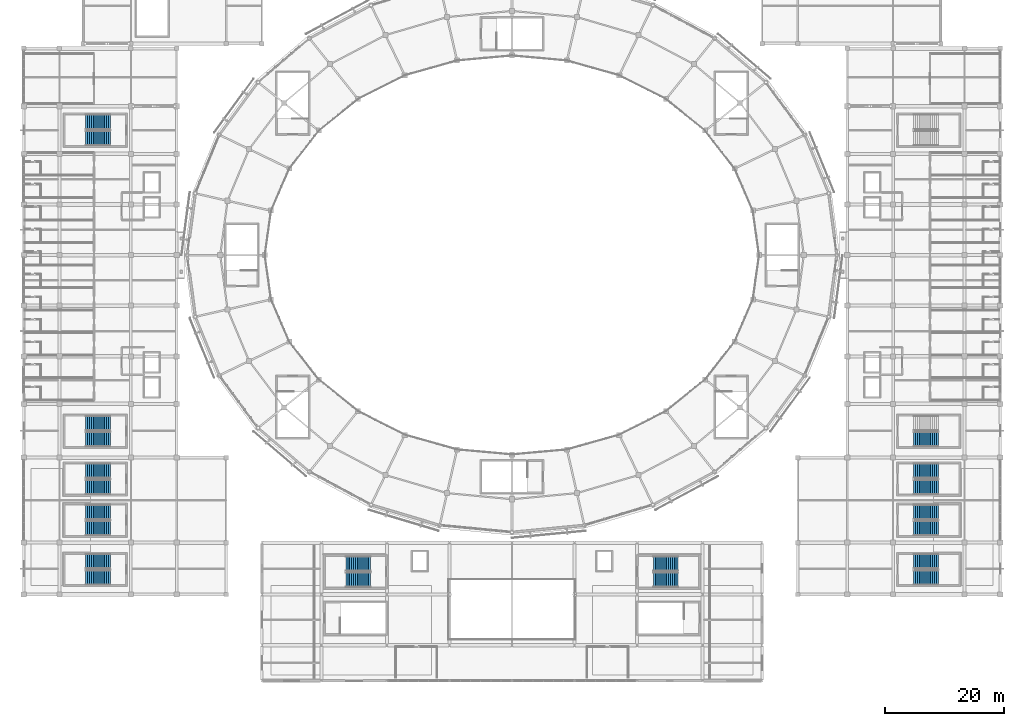
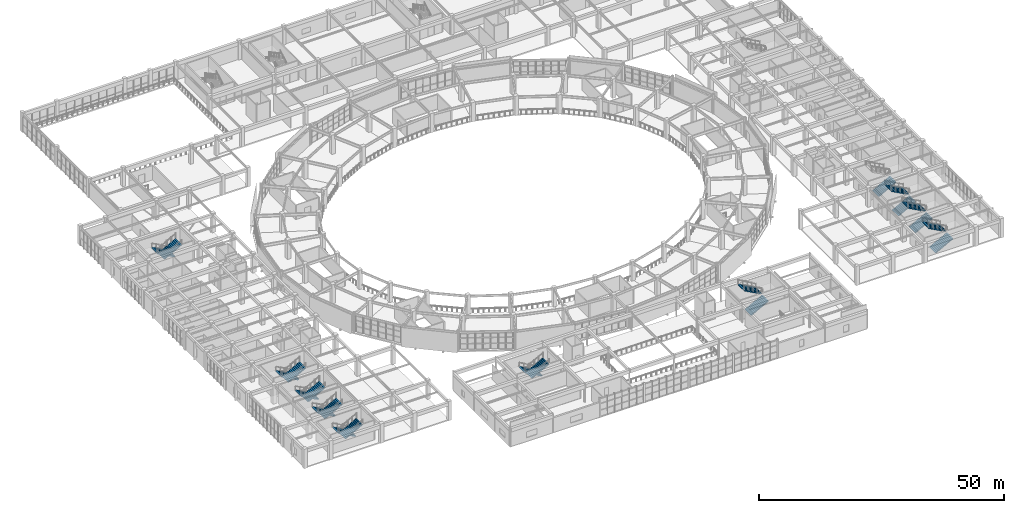
# One storey, part 93 of 112: 21 stair flights, 11 elements without a shape of their own.
"""IFC4 building model written with IfcOpenShell, lengths in metres."""

from ifc_helpers import new_model, si_unit, direction, frame, origin, place, context, subcontext, project, spatial, polyline, outline, extrude, material, type_object, element, aggregate, save


model = new_model("IFC4")

# Units and contexts
model_context = context("Model", 3, precision=1e-05, world=origin(), true_north=direction((0.0, 1.0)))
body_context = subcontext(model_context, "Body", "Model", "MODEL_VIEW")
ifc_project = project(units=[si_unit("LENGTHUNIT", "METRE"), si_unit("AREAUNIT", "SQUARE_METRE"), si_unit("VOLUMEUNIT", "CUBIC_METRE"), si_unit("PLANEANGLEUNIT", "RADIAN"), si_unit("MASSUNIT", "GRAM", prefix="KILO")], contexts=[model_context])

# Site, building, storey
site_placement = place(None, origin())
site = spatial("IfcSite", under=ifc_project, at=site_placement, CompositionType="ELEMENT")
building_placement = place(site_placement, origin())
building = spatial("IfcBuilding", under=site, at=building_placement, Name="Cuetzalor Civic Arena", CompositionType="ELEMENT")
storey_placement = place(building_placement, frame((0.0, 0.0, 11.39990234375)))
storey = spatial("IfcBuildingStorey", under=building, at=storey_placement, Name="L02", CompositionType="ELEMENT", Elevation=11.39990234375)

# Stair, stair flights
ifc_material_1 = material(Name="Precast concrete C40/50", Category="concrete")
stair_type = type_object("IfcStairType", Name="EnclosedExitStair_H480", PredefinedType="HALF_TURN_STAIR", material=ifc_material_1)
stair_1_placement = place(storey_placement, origin())
stair_1 = element("IfcStair", 1, at=stair_1_placement, inside=storey, type_object=stair_type, Name="L02 Enclosed Exit Stair ST-10", PredefinedType="HALF_TURN_STAIR")
ifc_material_2 = material(Name="Precast concrete C40/50", Category="concrete")
stair_flight_type = type_object("IfcStairFlightType", Name="ExitStairFlight_H480", PredefinedType="STRAIGHT", material=ifc_material_2)
stair_flight_1_placement = place(storey_placement, frame((-23.75, -51.85009765625, 0.0), z_axis=(0.0, 0.0, 1.0), x_axis=(-1.0, 0.0, 0.0)))
stair_flight_1 = element("IfcStairFlight", 2, at=stair_flight_1_placement, type_object=stair_flight_type, Name="ST-10 flight 1", NumberOfRisers=14, NumberOfTreads=13, PredefinedType="STRAIGHT", RiserHeight=0.171428571, TreadLength=0.318, context=body_context, shape_type="SweptSolid", body=[
    extrude(outline(polyline([(0.0, 0.0), (0.0, 0.17138671875), (0.318115234375, 0.17138671875), (0.318115234375, 0.3427734375), (0.635986328125, 0.3427734375), (0.635986328125, 0.514404296875), (0.9541015625, 0.514404296875), (0.9541015625, 0.685791015625), (1.27197265625, 0.685791015625), (1.27197265625, 0.857177734375), (1.590087890625, 0.857177734375), (1.590087890625, 1.028564453125), (1.907958984375, 1.028564453125), (1.907958984375, 1.199951171875), (2.22607421875, 1.199951171875), (2.22607421875, 1.371337890625), (2.5439453125, 1.371337890625), (2.5439453125, 1.54296875), (2.862060546875, 1.54296875), (2.862060546875, 1.71435546875), (3.179931640625, 1.71435546875), (3.179931640625, 1.8857421875), (3.498046875, 1.8857421875), (3.498046875, 2.05712890625), (3.81591796875, 2.05712890625), (3.81591796875, 2.228515625), (4.134033203125, 2.228515625), (4.134033203125, 2.39990234375), (4.134033203125, 2.024169921875), (0.379150390625, 0.0), (0.0, 0.0)])), frame((0.0, 1.25, 0.0), z_axis=(0.0, -1.0, 0.0), x_axis=(1.0, 0.0, 0.0)), (0.0, 0.0, 1.0), 2.5),
])
stair_flight_2_placement = place(storey_placement, frame((-27.884033203125, -54.550048828125, 2.400146484375), z_axis=(0.0, 0.0, 1.0), x_axis=(1.0, 0.0, 0.0)))
stair_flight_2 = element("IfcStairFlight", 3, at=stair_flight_2_placement, type_object=stair_flight_type, Name="ST-10 flight 2", NumberOfRisers=14, NumberOfTreads=13, PredefinedType="STRAIGHT", RiserHeight=0.171428571, TreadLength=0.318, context=body_context, shape_type="SweptSolid", body=[
    extrude(outline(polyline([(0.0, 0.0), (0.0, 0.17138671875), (0.318115234375, 0.17138671875), (0.318115234375, 0.3427734375), (0.635986328125, 0.3427734375), (0.635986328125, 0.514404296875), (0.9541015625, 0.514404296875), (0.9541015625, 0.685791015625), (1.27197265625, 0.685791015625), (1.27197265625, 0.857177734375), (1.590087890625, 0.857177734375), (1.590087890625, 1.028564453125), (1.907958984375, 1.028564453125), (1.907958984375, 1.199951171875), (2.22607421875, 1.199951171875), (2.22607421875, 1.371337890625), (2.5439453125, 1.371337890625), (2.5439453125, 1.54296875), (2.862060546875, 1.54296875), (2.862060546875, 1.71435546875), (3.179931640625, 1.71435546875), (3.179931640625, 1.8857421875), (3.498046875, 1.8857421875), (3.498046875, 2.05712890625), (3.81591796875, 2.05712890625), (3.81591796875, 2.228515625), (4.134033203125, 2.228515625), (4.134033203125, 2.39990234375), (4.134033203125, 2.024169921875), (0.379150390625, 0.0), (0.0, 0.0)])), frame((0.0, 1.25, 0.0), z_axis=(0.0, -1.0, 0.0), x_axis=(1.0, 0.0, 0.0)), (0.0, 0.0, 1.0), 2.5),
])
aggregate(stair_1, [stair_flight_1, stair_flight_2])

stair_2_placement = place(storey_placement, origin())
stair_2 = element("IfcStair", 4, at=stair_2_placement, inside=storey, type_object=stair_type, Name="L02 Enclosed Exit Stair ST-11", PredefinedType="HALF_TURN_STAIR")
stair_flight_3_placement = place(storey_placement, frame((23.75, -54.550048828125, 0.0), z_axis=(0.0, 0.0, 1.0), x_axis=(1.0, 0.0, 0.0)))
stair_flight_3 = element("IfcStairFlight", 5, at=stair_flight_3_placement, type_object=stair_flight_type, Name="ST-11 flight 1", NumberOfRisers=14, NumberOfTreads=13, PredefinedType="STRAIGHT", RiserHeight=0.171428571, TreadLength=0.318, context=body_context, shape_type="SweptSolid", body=[
    extrude(outline(polyline([(0.0, 0.0), (0.0, 0.17138671875), (0.318115234375, 0.17138671875), (0.318115234375, 0.3427734375), (0.635986328125, 0.3427734375), (0.635986328125, 0.514404296875), (0.9541015625, 0.514404296875), (0.9541015625, 0.685791015625), (1.27197265625, 0.685791015625), (1.27197265625, 0.857177734375), (1.590087890625, 0.857177734375), (1.590087890625, 1.028564453125), (1.907958984375, 1.028564453125), (1.907958984375, 1.199951171875), (2.22607421875, 1.199951171875), (2.22607421875, 1.371337890625), (2.5439453125, 1.371337890625), (2.5439453125, 1.54296875), (2.862060546875, 1.54296875), (2.862060546875, 1.71435546875), (3.179931640625, 1.71435546875), (3.179931640625, 1.8857421875), (3.498046875, 1.8857421875), (3.498046875, 2.05712890625), (3.81591796875, 2.05712890625), (3.81591796875, 2.228515625), (4.134033203125, 2.228515625), (4.134033203125, 2.39990234375), (4.134033203125, 2.024169921875), (0.379150390625, 0.0), (0.0, 0.0)])), frame((0.0, 1.25, 0.0), z_axis=(0.0, -1.0, 0.0), x_axis=(1.0, 0.0, 0.0)), (0.0, 0.0, 1.0), 2.5),
])
stair_flight_4_placement = place(storey_placement, frame((27.884033203125, -51.85009765625, 2.400146484375), z_axis=(0.0, 0.0, 1.0), x_axis=(-1.0, 0.0, 0.0)))
stair_flight_4 = element("IfcStairFlight", 6, at=stair_flight_4_placement, type_object=stair_flight_type, Name="ST-11 flight 2", NumberOfRisers=14, NumberOfTreads=13, PredefinedType="STRAIGHT", RiserHeight=0.171428571, TreadLength=0.318, context=body_context, shape_type="SweptSolid", body=[
    extrude(outline(polyline([(0.0, 0.0), (0.0, 0.17138671875), (0.318115234375, 0.17138671875), (0.318115234375, 0.3427734375), (0.635986328125, 0.3427734375), (0.635986328125, 0.514404296875), (0.9541015625, 0.514404296875), (0.9541015625, 0.685791015625), (1.27197265625, 0.685791015625), (1.27197265625, 0.857177734375), (1.590087890625, 0.857177734375), (1.590087890625, 1.028564453125), (1.907958984375, 1.028564453125), (1.907958984375, 1.199951171875), (2.22607421875, 1.199951171875), (2.22607421875, 1.371337890625), (2.5439453125, 1.371337890625), (2.5439453125, 1.54296875), (2.862060546875, 1.54296875), (2.862060546875, 1.71435546875), (3.179931640625, 1.71435546875), (3.179931640625, 1.8857421875), (3.498046875, 1.8857421875), (3.498046875, 2.05712890625), (3.81591796875, 2.05712890625), (3.81591796875, 2.228515625), (4.134033203125, 2.228515625), (4.134033203125, 2.39990234375), (4.134033203125, 2.024169921875), (0.379150390625, 0.0), (0.0, 0.0)])), frame((0.0, 1.25, 0.0), z_axis=(0.0, -1.0, 0.0), x_axis=(1.0, 0.0, 0.0)), (0.0, 0.0, 1.0), 2.5),
])
aggregate(stair_2, [stair_flight_3, stair_flight_4])

stair_3_placement = place(storey_placement, origin())
stair_3 = element("IfcStair", 7, at=stair_3_placement, inside=storey, type_object=stair_type, Name="L02 Enclosed Exit Stair ST-13", PredefinedType="HALF_TURN_STAIR")
stair_flight_5_placement = place(storey_placement, frame((-67.449951171875, -51.449951171875, 0.0), z_axis=(0.0, 0.0, 1.0), x_axis=(-1.0, 0.0, 0.0)))
stair_flight_5 = element("IfcStairFlight", 8, at=stair_flight_5_placement, type_object=stair_flight_type, Name="ST-13 flight 1", NumberOfRisers=14, NumberOfTreads=13, PredefinedType="STRAIGHT", RiserHeight=0.171428571, TreadLength=0.318, context=body_context, shape_type="SweptSolid", body=[
    extrude(outline(polyline([(0.0, 0.0), (0.0, 0.17138671875), (0.318115234375, 0.17138671875), (0.318115234375, 0.3427734375), (0.635986328125, 0.3427734375), (0.635986328125, 0.514404296875), (0.9541015625, 0.514404296875), (0.9541015625, 0.685791015625), (1.27197265625, 0.685791015625), (1.27197265625, 0.857177734375), (1.590087890625, 0.857177734375), (1.590087890625, 1.028564453125), (1.907958984375, 1.028564453125), (1.907958984375, 1.199951171875), (2.22607421875, 1.199951171875), (2.22607421875, 1.371337890625), (2.5439453125, 1.371337890625), (2.5439453125, 1.54296875), (2.862060546875, 1.54296875), (2.862060546875, 1.71435546875), (3.179931640625, 1.71435546875), (3.179931640625, 1.8857421875), (3.498046875, 1.8857421875), (3.498046875, 2.05712890625), (3.81591796875, 2.05712890625), (3.81591796875, 2.228515625), (4.134033203125, 2.228515625), (4.134033203125, 2.39990234375), (4.134033203125, 2.024169921875), (0.379150390625, 0.0), (0.0, 0.0)])), frame((0.0, 1.25, 0.0), z_axis=(0.0, -1.0, 0.0), x_axis=(1.0, 0.0, 0.0)), (0.0, 0.0, 1.0), 2.5),
])
stair_flight_6_placement = place(storey_placement, frame((-71.583984375, -54.14990234375, 2.400146484375), z_axis=(0.0, 0.0, 1.0), x_axis=(1.0, 0.0, 0.0)))
stair_flight_6 = element("IfcStairFlight", 9, at=stair_flight_6_placement, type_object=stair_flight_type, Name="ST-13 flight 2", NumberOfRisers=14, NumberOfTreads=13, PredefinedType="STRAIGHT", RiserHeight=0.171428571, TreadLength=0.318, context=body_context, shape_type="SweptSolid", body=[
    extrude(outline(polyline([(0.0, 0.0), (0.0, 0.17138671875), (0.318115234375, 0.17138671875), (0.318115234375, 0.3427734375), (0.635986328125, 0.3427734375), (0.635986328125, 0.514404296875), (0.9541015625, 0.514404296875), (0.9541015625, 0.685791015625), (1.27197265625, 0.685791015625), (1.27197265625, 0.857177734375), (1.590087890625, 0.857177734375), (1.590087890625, 1.028564453125), (1.907958984375, 1.028564453125), (1.907958984375, 1.199951171875), (2.22607421875, 1.199951171875), (2.22607421875, 1.371337890625), (2.5439453125, 1.371337890625), (2.5439453125, 1.54296875), (2.862060546875, 1.54296875), (2.862060546875, 1.71435546875), (3.179931640625, 1.71435546875), (3.179931640625, 1.8857421875), (3.498046875, 1.8857421875), (3.498046875, 2.05712890625), (3.81591796875, 2.05712890625), (3.81591796875, 2.228515625), (4.134033203125, 2.228515625), (4.134033203125, 2.39990234375), (4.134033203125, 2.024169921875), (0.379150390625, 0.0), (0.0, 0.0)])), frame((0.0, 1.25, 0.0), z_axis=(0.0, -1.0, 0.0), x_axis=(1.0, 0.0, 0.0)), (0.0, 0.0, 1.0), 2.5),
])
aggregate(stair_3, [stair_flight_5, stair_flight_6])

stair_4_placement = place(storey_placement, origin())
stair_4 = element("IfcStair", 10, at=stair_4_placement, inside=storey, type_object=stair_type, Name="L02 Enclosed Exit Stair ST-14", PredefinedType="HALF_TURN_STAIR")
stair_flight_7_placement = place(storey_placement, frame((-67.449951171875, -43.14990234375, 0.0), z_axis=(0.0, 0.0, 1.0), x_axis=(-1.0, 0.0, 0.0)))
stair_flight_7 = element("IfcStairFlight", 11, at=stair_flight_7_placement, type_object=stair_flight_type, Name="ST-14 flight 1", NumberOfRisers=14, NumberOfTreads=13, PredefinedType="STRAIGHT", RiserHeight=0.171428571, TreadLength=0.318, context=body_context, shape_type="SweptSolid", body=[
    extrude(outline(polyline([(0.0, 0.0), (0.0, 0.17138671875), (0.318115234375, 0.17138671875), (0.318115234375, 0.3427734375), (0.635986328125, 0.3427734375), (0.635986328125, 0.514404296875), (0.9541015625, 0.514404296875), (0.9541015625, 0.685791015625), (1.27197265625, 0.685791015625), (1.27197265625, 0.857177734375), (1.590087890625, 0.857177734375), (1.590087890625, 1.028564453125), (1.907958984375, 1.028564453125), (1.907958984375, 1.199951171875), (2.22607421875, 1.199951171875), (2.22607421875, 1.371337890625), (2.5439453125, 1.371337890625), (2.5439453125, 1.54296875), (2.862060546875, 1.54296875), (2.862060546875, 1.71435546875), (3.179931640625, 1.71435546875), (3.179931640625, 1.8857421875), (3.498046875, 1.8857421875), (3.498046875, 2.05712890625), (3.81591796875, 2.05712890625), (3.81591796875, 2.228515625), (4.134033203125, 2.228515625), (4.134033203125, 2.39990234375), (4.134033203125, 2.024169921875), (0.379150390625, 0.0), (0.0, 0.0)])), frame((0.0, 1.25, 0.0), z_axis=(0.0, -1.0, 0.0), x_axis=(1.0, 0.0, 0.0)), (0.0, 0.0, 1.0), 2.5),
])
stair_flight_8_placement = place(storey_placement, frame((-71.583984375, -45.85009765625, 2.400146484375), z_axis=(0.0, 0.0, 1.0), x_axis=(1.0, 0.0, 0.0)))
stair_flight_8 = element("IfcStairFlight", 12, at=stair_flight_8_placement, type_object=stair_flight_type, Name="ST-14 flight 2", NumberOfRisers=14, NumberOfTreads=13, PredefinedType="STRAIGHT", RiserHeight=0.171428571, TreadLength=0.318, context=body_context, shape_type="SweptSolid", body=[
    extrude(outline(polyline([(0.0, 0.0), (0.0, 0.17138671875), (0.318115234375, 0.17138671875), (0.318115234375, 0.3427734375), (0.635986328125, 0.3427734375), (0.635986328125, 0.514404296875), (0.9541015625, 0.514404296875), (0.9541015625, 0.685791015625), (1.27197265625, 0.685791015625), (1.27197265625, 0.857177734375), (1.590087890625, 0.857177734375), (1.590087890625, 1.028564453125), (1.907958984375, 1.028564453125), (1.907958984375, 1.199951171875), (2.22607421875, 1.199951171875), (2.22607421875, 1.371337890625), (2.5439453125, 1.371337890625), (2.5439453125, 1.54296875), (2.862060546875, 1.54296875), (2.862060546875, 1.71435546875), (3.179931640625, 1.71435546875), (3.179931640625, 1.8857421875), (3.498046875, 1.8857421875), (3.498046875, 2.05712890625), (3.81591796875, 2.05712890625), (3.81591796875, 2.228515625), (4.134033203125, 2.228515625), (4.134033203125, 2.39990234375), (4.134033203125, 2.024169921875), (0.379150390625, 0.0), (0.0, 0.0)])), frame((0.0, 1.25, 0.0), z_axis=(0.0, -1.0, 0.0), x_axis=(1.0, 0.0, 0.0)), (0.0, 0.0, 1.0), 2.5),
])
aggregate(stair_4, [stair_flight_7, stair_flight_8])

stair_5_placement = place(storey_placement, origin())
stair_5 = element("IfcStair", 13, at=stair_5_placement, inside=storey, type_object=stair_type, Name="L02 Enclosed Exit Stair ST-15", PredefinedType="HALF_TURN_STAIR")
stair_flight_9_placement = place(storey_placement, frame((-67.449951171875, -36.25, 0.0), z_axis=(0.0, 0.0, 1.0), x_axis=(-1.0, 0.0, 0.0)))
stair_flight_9 = element("IfcStairFlight", 14, at=stair_flight_9_placement, type_object=stair_flight_type, Name="ST-15 flight 1", NumberOfRisers=14, NumberOfTreads=13, PredefinedType="STRAIGHT", RiserHeight=0.171428571, TreadLength=0.318, context=body_context, shape_type="SweptSolid", body=[
    extrude(outline(polyline([(0.0, 0.0), (0.0, 0.17138671875), (0.318115234375, 0.17138671875), (0.318115234375, 0.3427734375), (0.635986328125, 0.3427734375), (0.635986328125, 0.514404296875), (0.9541015625, 0.514404296875), (0.9541015625, 0.685791015625), (1.27197265625, 0.685791015625), (1.27197265625, 0.857177734375), (1.590087890625, 0.857177734375), (1.590087890625, 1.028564453125), (1.907958984375, 1.028564453125), (1.907958984375, 1.199951171875), (2.22607421875, 1.199951171875), (2.22607421875, 1.371337890625), (2.5439453125, 1.371337890625), (2.5439453125, 1.54296875), (2.862060546875, 1.54296875), (2.862060546875, 1.71435546875), (3.179931640625, 1.71435546875), (3.179931640625, 1.8857421875), (3.498046875, 1.8857421875), (3.498046875, 2.05712890625), (3.81591796875, 2.05712890625), (3.81591796875, 2.228515625), (4.134033203125, 2.228515625), (4.134033203125, 2.39990234375), (4.134033203125, 2.024169921875), (0.379150390625, 0.0), (0.0, 0.0)])), frame((0.0, 1.25, 0.0), z_axis=(0.0, -1.0, 0.0), x_axis=(1.0, 0.0, 0.0)), (0.0, 0.0, 1.0), 2.5),
])
stair_flight_10_placement = place(storey_placement, frame((-71.583984375, -38.949951171875, 2.400146484375), z_axis=(0.0, 0.0, 1.0), x_axis=(1.0, 0.0, 0.0)))
stair_flight_10 = element("IfcStairFlight", 15, at=stair_flight_10_placement, type_object=stair_flight_type, Name="ST-15 flight 2", NumberOfRisers=14, NumberOfTreads=13, PredefinedType="STRAIGHT", RiserHeight=0.171428571, TreadLength=0.318, context=body_context, shape_type="SweptSolid", body=[
    extrude(outline(polyline([(0.0, 0.0), (0.0, 0.17138671875), (0.318115234375, 0.17138671875), (0.318115234375, 0.3427734375), (0.635986328125, 0.3427734375), (0.635986328125, 0.514404296875), (0.9541015625, 0.514404296875), (0.9541015625, 0.685791015625), (1.27197265625, 0.685791015625), (1.27197265625, 0.857177734375), (1.590087890625, 0.857177734375), (1.590087890625, 1.028564453125), (1.907958984375, 1.028564453125), (1.907958984375, 1.199951171875), (2.22607421875, 1.199951171875), (2.22607421875, 1.371337890625), (2.5439453125, 1.371337890625), (2.5439453125, 1.54296875), (2.862060546875, 1.54296875), (2.862060546875, 1.71435546875), (3.179931640625, 1.71435546875), (3.179931640625, 1.8857421875), (3.498046875, 1.8857421875), (3.498046875, 2.05712890625), (3.81591796875, 2.05712890625), (3.81591796875, 2.228515625), (4.134033203125, 2.228515625), (4.134033203125, 2.39990234375), (4.134033203125, 2.024169921875), (0.379150390625, 0.0), (0.0, 0.0)])), frame((0.0, 1.25, 0.0), z_axis=(0.0, -1.0, 0.0), x_axis=(1.0, 0.0, 0.0)), (0.0, 0.0, 1.0), 2.5),
])
aggregate(stair_5, [stair_flight_9, stair_flight_10])

stair_6_placement = place(storey_placement, origin())
stair_6 = element("IfcStair", 16, at=stair_6_placement, inside=storey, type_object=stair_type, Name="L02 Enclosed Exit Stair ST-16", PredefinedType="HALF_TURN_STAIR")
stair_flight_11_placement = place(storey_placement, frame((-67.449951171875, -28.25, 0.0), z_axis=(0.0, 0.0, 1.0), x_axis=(-1.0, 0.0, 0.0)))
stair_flight_11 = element("IfcStairFlight", 17, at=stair_flight_11_placement, type_object=stair_flight_type, Name="ST-16 flight 1", NumberOfRisers=14, NumberOfTreads=13, PredefinedType="STRAIGHT", RiserHeight=0.171428571, TreadLength=0.318, context=body_context, shape_type="SweptSolid", body=[
    extrude(outline(polyline([(0.0, 0.0), (0.0, 0.17138671875), (0.318115234375, 0.17138671875), (0.318115234375, 0.3427734375), (0.635986328125, 0.3427734375), (0.635986328125, 0.514404296875), (0.9541015625, 0.514404296875), (0.9541015625, 0.685791015625), (1.27197265625, 0.685791015625), (1.27197265625, 0.857177734375), (1.590087890625, 0.857177734375), (1.590087890625, 1.028564453125), (1.907958984375, 1.028564453125), (1.907958984375, 1.199951171875), (2.22607421875, 1.199951171875), (2.22607421875, 1.371337890625), (2.5439453125, 1.371337890625), (2.5439453125, 1.54296875), (2.862060546875, 1.54296875), (2.862060546875, 1.71435546875), (3.179931640625, 1.71435546875), (3.179931640625, 1.8857421875), (3.498046875, 1.8857421875), (3.498046875, 2.05712890625), (3.81591796875, 2.05712890625), (3.81591796875, 2.228515625), (4.134033203125, 2.228515625), (4.134033203125, 2.39990234375), (4.134033203125, 2.024169921875), (0.379150390625, 0.0), (0.0, 0.0)])), frame((0.0, 1.25, 0.0), z_axis=(0.0, -1.0, 0.0), x_axis=(1.0, 0.0, 0.0)), (0.0, 0.0, 1.0), 2.5),
])
stair_flight_12_placement = place(storey_placement, frame((-71.583984375, -30.949951171875, 2.400146484375), z_axis=(0.0, 0.0, 1.0), x_axis=(1.0, 0.0, 0.0)))
stair_flight_12 = element("IfcStairFlight", 18, at=stair_flight_12_placement, type_object=stair_flight_type, Name="ST-16 flight 2", NumberOfRisers=14, NumberOfTreads=13, PredefinedType="STRAIGHT", RiserHeight=0.171428571, TreadLength=0.318, context=body_context, shape_type="SweptSolid", body=[
    extrude(outline(polyline([(0.0, 0.0), (0.0, 0.17138671875), (0.318115234375, 0.17138671875), (0.318115234375, 0.3427734375), (0.635986328125, 0.3427734375), (0.635986328125, 0.514404296875), (0.9541015625, 0.514404296875), (0.9541015625, 0.685791015625), (1.27197265625, 0.685791015625), (1.27197265625, 0.857177734375), (1.590087890625, 0.857177734375), (1.590087890625, 1.028564453125), (1.907958984375, 1.028564453125), (1.907958984375, 1.199951171875), (2.22607421875, 1.199951171875), (2.22607421875, 1.371337890625), (2.5439453125, 1.371337890625), (2.5439453125, 1.54296875), (2.862060546875, 1.54296875), (2.862060546875, 1.71435546875), (3.179931640625, 1.71435546875), (3.179931640625, 1.8857421875), (3.498046875, 1.8857421875), (3.498046875, 2.05712890625), (3.81591796875, 2.05712890625), (3.81591796875, 2.228515625), (4.134033203125, 2.228515625), (4.134033203125, 2.39990234375), (4.134033203125, 2.024169921875), (0.379150390625, 0.0), (0.0, 0.0)])), frame((0.0, 1.25, 0.0), z_axis=(0.0, -1.0, 0.0), x_axis=(1.0, 0.0, 0.0)), (0.0, 0.0, 1.0), 2.5),
])
aggregate(stair_6, [stair_flight_11, stair_flight_12])

stair_7_placement = place(storey_placement, origin())
stair_7 = element("IfcStair", 19, at=stair_7_placement, inside=storey, type_object=stair_type, Name="L02 Enclosed Exit Stair ST-17", PredefinedType="HALF_TURN_STAIR")
stair_flight_13_placement = place(storey_placement, frame((-67.449951171875, 22.35009765625, 0.0), z_axis=(0.0, 0.0, 1.0), x_axis=(-1.0, 0.0, 0.0)))
stair_flight_13 = element("IfcStairFlight", 20, at=stair_flight_13_placement, type_object=stair_flight_type, Name="ST-17 flight 1", NumberOfRisers=14, NumberOfTreads=13, PredefinedType="STRAIGHT", RiserHeight=0.171428571, TreadLength=0.318, context=body_context, shape_type="SweptSolid", body=[
    extrude(outline(polyline([(0.0, 0.0), (0.0, 0.17138671875), (0.318115234375, 0.17138671875), (0.318115234375, 0.3427734375), (0.635986328125, 0.3427734375), (0.635986328125, 0.514404296875), (0.9541015625, 0.514404296875), (0.9541015625, 0.685791015625), (1.27197265625, 0.685791015625), (1.27197265625, 0.857177734375), (1.590087890625, 0.857177734375), (1.590087890625, 1.028564453125), (1.907958984375, 1.028564453125), (1.907958984375, 1.199951171875), (2.22607421875, 1.199951171875), (2.22607421875, 1.371337890625), (2.5439453125, 1.371337890625), (2.5439453125, 1.54296875), (2.862060546875, 1.54296875), (2.862060546875, 1.71435546875), (3.179931640625, 1.71435546875), (3.179931640625, 1.8857421875), (3.498046875, 1.8857421875), (3.498046875, 2.05712890625), (3.81591796875, 2.05712890625), (3.81591796875, 2.228515625), (4.134033203125, 2.228515625), (4.134033203125, 2.39990234375), (4.134033203125, 2.024169921875), (0.379150390625, 0.0), (0.0, 0.0)])), frame((0.0, 1.25, 0.0), z_axis=(0.0, -1.0, 0.0), x_axis=(1.0, 0.0, 0.0)), (0.0, 0.0, 1.0), 2.5),
])
stair_flight_14_placement = place(storey_placement, frame((-71.583984375, 19.64990234375, 2.400146484375), z_axis=(0.0, 0.0, 1.0), x_axis=(1.0, 0.0, 0.0)))
stair_flight_14 = element("IfcStairFlight", 21, at=stair_flight_14_placement, type_object=stair_flight_type, Name="ST-17 flight 2", NumberOfRisers=14, NumberOfTreads=13, PredefinedType="STRAIGHT", RiserHeight=0.171428571, TreadLength=0.318, context=body_context, shape_type="SweptSolid", body=[
    extrude(outline(polyline([(0.0, 0.0), (0.0, 0.17138671875), (0.318115234375, 0.17138671875), (0.318115234375, 0.3427734375), (0.635986328125, 0.3427734375), (0.635986328125, 0.514404296875), (0.9541015625, 0.514404296875), (0.9541015625, 0.685791015625), (1.27197265625, 0.685791015625), (1.27197265625, 0.857177734375), (1.590087890625, 0.857177734375), (1.590087890625, 1.028564453125), (1.907958984375, 1.028564453125), (1.907958984375, 1.199951171875), (2.22607421875, 1.199951171875), (2.22607421875, 1.371337890625), (2.5439453125, 1.371337890625), (2.5439453125, 1.54296875), (2.862060546875, 1.54296875), (2.862060546875, 1.71435546875), (3.179931640625, 1.71435546875), (3.179931640625, 1.8857421875), (3.498046875, 1.8857421875), (3.498046875, 2.05712890625), (3.81591796875, 2.05712890625), (3.81591796875, 2.228515625), (4.134033203125, 2.228515625), (4.134033203125, 2.39990234375), (4.134033203125, 2.024169921875), (0.379150390625, 0.0), (0.0, 0.0)])), frame((0.0, 1.25, 0.0), z_axis=(0.0, -1.0, 0.0), x_axis=(1.0, 0.0, 0.0)), (0.0, 0.0, 1.0), 2.5),
])
aggregate(stair_7, [stair_flight_13, stair_flight_14])

stair_8_placement = place(storey_placement, origin())
stair_8 = element("IfcStair", 22, at=stair_8_placement, inside=storey, type_object=stair_type, Name="L02 Enclosed Exit Stair ST-18", PredefinedType="HALF_TURN_STAIR")
stair_flight_15_placement = place(storey_placement, frame((67.449951171875, -54.14990234375, 0.0), z_axis=(0.0, 0.0, 1.0), x_axis=(1.0, 0.0, 0.0)))
stair_flight_15 = element("IfcStairFlight", 23, at=stair_flight_15_placement, type_object=stair_flight_type, Name="ST-18 flight 1", NumberOfRisers=14, NumberOfTreads=13, PredefinedType="STRAIGHT", RiserHeight=0.171428571, TreadLength=0.318, context=body_context, shape_type="SweptSolid", body=[
    extrude(outline(polyline([(0.0, 0.0), (0.0, 0.17138671875), (0.318115234375, 0.17138671875), (0.318115234375, 0.3427734375), (0.635986328125, 0.3427734375), (0.635986328125, 0.514404296875), (0.9541015625, 0.514404296875), (0.9541015625, 0.685791015625), (1.27197265625, 0.685791015625), (1.27197265625, 0.857177734375), (1.590087890625, 0.857177734375), (1.590087890625, 1.028564453125), (1.907958984375, 1.028564453125), (1.907958984375, 1.199951171875), (2.22607421875, 1.199951171875), (2.22607421875, 1.371337890625), (2.5439453125, 1.371337890625), (2.5439453125, 1.54296875), (2.862060546875, 1.54296875), (2.862060546875, 1.71435546875), (3.179931640625, 1.71435546875), (3.179931640625, 1.8857421875), (3.498046875, 1.8857421875), (3.498046875, 2.05712890625), (3.81591796875, 2.05712890625), (3.81591796875, 2.228515625), (4.134033203125, 2.228515625), (4.134033203125, 2.39990234375), (4.134033203125, 2.024169921875), (0.379150390625, 0.0), (0.0, 0.0)])), frame((0.0, 1.25, 0.0), z_axis=(0.0, -1.0, 0.0), x_axis=(1.0, 0.0, 0.0)), (0.0, 0.0, 1.0), 2.5),
])
stair_flight_16_placement = place(storey_placement, frame((71.583984375, -51.449951171875, 2.400146484375), z_axis=(0.0, 0.0, 1.0), x_axis=(-1.0, 0.0, 0.0)))
stair_flight_16 = element("IfcStairFlight", 24, at=stair_flight_16_placement, type_object=stair_flight_type, Name="ST-18 flight 2", NumberOfRisers=14, NumberOfTreads=13, PredefinedType="STRAIGHT", RiserHeight=0.171428571, TreadLength=0.318, context=body_context, shape_type="SweptSolid", body=[
    extrude(outline(polyline([(0.0, 0.0), (0.0, 0.17138671875), (0.318115234375, 0.17138671875), (0.318115234375, 0.3427734375), (0.635986328125, 0.3427734375), (0.635986328125, 0.514404296875), (0.9541015625, 0.514404296875), (0.9541015625, 0.685791015625), (1.27197265625, 0.685791015625), (1.27197265625, 0.857177734375), (1.590087890625, 0.857177734375), (1.590087890625, 1.028564453125), (1.907958984375, 1.028564453125), (1.907958984375, 1.199951171875), (2.22607421875, 1.199951171875), (2.22607421875, 1.371337890625), (2.5439453125, 1.371337890625), (2.5439453125, 1.54296875), (2.862060546875, 1.54296875), (2.862060546875, 1.71435546875), (3.179931640625, 1.71435546875), (3.179931640625, 1.8857421875), (3.498046875, 1.8857421875), (3.498046875, 2.05712890625), (3.81591796875, 2.05712890625), (3.81591796875, 2.228515625), (4.134033203125, 2.228515625), (4.134033203125, 2.39990234375), (4.134033203125, 2.024169921875), (0.379150390625, 0.0), (0.0, 0.0)])), frame((0.0, 1.25, 0.0), z_axis=(0.0, -1.0, 0.0), x_axis=(1.0, 0.0, 0.0)), (0.0, 0.0, 1.0), 2.5),
])
aggregate(stair_8, [stair_flight_15, stair_flight_16])

stair_9_placement = place(storey_placement, origin())
stair_9 = element("IfcStair", 25, at=stair_9_placement, inside=storey, type_object=stair_type, Name="L02 Enclosed Exit Stair ST-19", PredefinedType="HALF_TURN_STAIR")
stair_flight_17_placement = place(storey_placement, frame((67.449951171875, -45.85009765625, 0.0), z_axis=(0.0, 0.0, 1.0), x_axis=(1.0, 0.0, 0.0)))
stair_flight_17 = element("IfcStairFlight", 26, at=stair_flight_17_placement, type_object=stair_flight_type, Name="ST-19 flight 1", NumberOfRisers=14, NumberOfTreads=13, PredefinedType="STRAIGHT", RiserHeight=0.171428571, TreadLength=0.318, context=body_context, shape_type="SweptSolid", body=[
    extrude(outline(polyline([(0.0, 0.0), (0.0, 0.17138671875), (0.318115234375, 0.17138671875), (0.318115234375, 0.3427734375), (0.635986328125, 0.3427734375), (0.635986328125, 0.514404296875), (0.9541015625, 0.514404296875), (0.9541015625, 0.685791015625), (1.27197265625, 0.685791015625), (1.27197265625, 0.857177734375), (1.590087890625, 0.857177734375), (1.590087890625, 1.028564453125), (1.907958984375, 1.028564453125), (1.907958984375, 1.199951171875), (2.22607421875, 1.199951171875), (2.22607421875, 1.371337890625), (2.5439453125, 1.371337890625), (2.5439453125, 1.54296875), (2.862060546875, 1.54296875), (2.862060546875, 1.71435546875), (3.179931640625, 1.71435546875), (3.179931640625, 1.8857421875), (3.498046875, 1.8857421875), (3.498046875, 2.05712890625), (3.81591796875, 2.05712890625), (3.81591796875, 2.228515625), (4.134033203125, 2.228515625), (4.134033203125, 2.39990234375), (4.134033203125, 2.024169921875), (0.379150390625, 0.0), (0.0, 0.0)])), frame((0.0, 1.25, 0.0), z_axis=(0.0, -1.0, 0.0), x_axis=(1.0, 0.0, 0.0)), (0.0, 0.0, 1.0), 2.5),
])
stair_flight_18_placement = place(storey_placement, frame((71.583984375, -43.14990234375, 2.400146484375), z_axis=(0.0, 0.0, 1.0), x_axis=(-1.0, 0.0, 0.0)))
stair_flight_18 = element("IfcStairFlight", 27, at=stair_flight_18_placement, type_object=stair_flight_type, Name="ST-19 flight 2", NumberOfRisers=14, NumberOfTreads=13, PredefinedType="STRAIGHT", RiserHeight=0.171428571, TreadLength=0.318, context=body_context, shape_type="SweptSolid", body=[
    extrude(outline(polyline([(0.0, 0.0), (0.0, 0.17138671875), (0.318115234375, 0.17138671875), (0.318115234375, 0.3427734375), (0.635986328125, 0.3427734375), (0.635986328125, 0.514404296875), (0.9541015625, 0.514404296875), (0.9541015625, 0.685791015625), (1.27197265625, 0.685791015625), (1.27197265625, 0.857177734375), (1.590087890625, 0.857177734375), (1.590087890625, 1.028564453125), (1.907958984375, 1.028564453125), (1.907958984375, 1.199951171875), (2.22607421875, 1.199951171875), (2.22607421875, 1.371337890625), (2.5439453125, 1.371337890625), (2.5439453125, 1.54296875), (2.862060546875, 1.54296875), (2.862060546875, 1.71435546875), (3.179931640625, 1.71435546875), (3.179931640625, 1.8857421875), (3.498046875, 1.8857421875), (3.498046875, 2.05712890625), (3.81591796875, 2.05712890625), (3.81591796875, 2.228515625), (4.134033203125, 2.228515625), (4.134033203125, 2.39990234375), (4.134033203125, 2.024169921875), (0.379150390625, 0.0), (0.0, 0.0)])), frame((0.0, 1.25, 0.0), z_axis=(0.0, -1.0, 0.0), x_axis=(1.0, 0.0, 0.0)), (0.0, 0.0, 1.0), 2.5),
])
aggregate(stair_9, [stair_flight_17, stair_flight_18])

stair_10_placement = place(storey_placement, origin())
stair_10 = element("IfcStair", 28, at=stair_10_placement, inside=storey, type_object=stair_type, Name="L02 Enclosed Exit Stair ST-20", PredefinedType="HALF_TURN_STAIR")
stair_flight_19_placement = place(storey_placement, frame((67.449951171875, -38.949951171875, 0.0), z_axis=(0.0, 0.0, 1.0), x_axis=(1.0, 0.0, 0.0)))
stair_flight_19 = element("IfcStairFlight", 29, at=stair_flight_19_placement, type_object=stair_flight_type, Name="ST-20 flight 1", NumberOfRisers=14, NumberOfTreads=13, PredefinedType="STRAIGHT", RiserHeight=0.171428571, TreadLength=0.318, context=body_context, shape_type="SweptSolid", body=[
    extrude(outline(polyline([(0.0, 0.0), (0.0, 0.17138671875), (0.318115234375, 0.17138671875), (0.318115234375, 0.3427734375), (0.635986328125, 0.3427734375), (0.635986328125, 0.514404296875), (0.9541015625, 0.514404296875), (0.9541015625, 0.685791015625), (1.27197265625, 0.685791015625), (1.27197265625, 0.857177734375), (1.590087890625, 0.857177734375), (1.590087890625, 1.028564453125), (1.907958984375, 1.028564453125), (1.907958984375, 1.199951171875), (2.22607421875, 1.199951171875), (2.22607421875, 1.371337890625), (2.5439453125, 1.371337890625), (2.5439453125, 1.54296875), (2.862060546875, 1.54296875), (2.862060546875, 1.71435546875), (3.179931640625, 1.71435546875), (3.179931640625, 1.8857421875), (3.498046875, 1.8857421875), (3.498046875, 2.05712890625), (3.81591796875, 2.05712890625), (3.81591796875, 2.228515625), (4.134033203125, 2.228515625), (4.134033203125, 2.39990234375), (4.134033203125, 2.024169921875), (0.379150390625, 0.0), (0.0, 0.0)])), frame((0.0, 1.25, 0.0), z_axis=(0.0, -1.0, 0.0), x_axis=(1.0, 0.0, 0.0)), (0.0, 0.0, 1.0), 2.5),
])
stair_flight_20_placement = place(storey_placement, frame((71.583984375, -36.25, 2.400146484375), z_axis=(0.0, 0.0, 1.0), x_axis=(-1.0, 0.0, 0.0)))
stair_flight_20 = element("IfcStairFlight", 30, at=stair_flight_20_placement, type_object=stair_flight_type, Name="ST-20 flight 2", NumberOfRisers=14, NumberOfTreads=13, PredefinedType="STRAIGHT", RiserHeight=0.171428571, TreadLength=0.318, context=body_context, shape_type="SweptSolid", body=[
    extrude(outline(polyline([(0.0, 0.0), (0.0, 0.17138671875), (0.318115234375, 0.17138671875), (0.318115234375, 0.3427734375), (0.635986328125, 0.3427734375), (0.635986328125, 0.514404296875), (0.9541015625, 0.514404296875), (0.9541015625, 0.685791015625), (1.27197265625, 0.685791015625), (1.27197265625, 0.857177734375), (1.590087890625, 0.857177734375), (1.590087890625, 1.028564453125), (1.907958984375, 1.028564453125), (1.907958984375, 1.199951171875), (2.22607421875, 1.199951171875), (2.22607421875, 1.371337890625), (2.5439453125, 1.371337890625), (2.5439453125, 1.54296875), (2.862060546875, 1.54296875), (2.862060546875, 1.71435546875), (3.179931640625, 1.71435546875), (3.179931640625, 1.8857421875), (3.498046875, 1.8857421875), (3.498046875, 2.05712890625), (3.81591796875, 2.05712890625), (3.81591796875, 2.228515625), (4.134033203125, 2.228515625), (4.134033203125, 2.39990234375), (4.134033203125, 2.024169921875), (0.379150390625, 0.0), (0.0, 0.0)])), frame((0.0, 1.25, 0.0), z_axis=(0.0, -1.0, 0.0), x_axis=(1.0, 0.0, 0.0)), (0.0, 0.0, 1.0), 2.5),
])
aggregate(stair_10, [stair_flight_19, stair_flight_20])

# Stair, stair flight
stair_11_placement = place(storey_placement, origin())
stair_11 = element("IfcStair", 31, at=stair_11_placement, inside=storey, type_object=stair_type, Name="L02 Enclosed Exit Stair ST-21", PredefinedType="HALF_TURN_STAIR")
stair_flight_21_placement = place(storey_placement, frame((67.449951171875, -30.949951171875, 0.0), z_axis=(0.0, 0.0, 1.0), x_axis=(1.0, 0.0, 0.0)))
stair_flight_21 = element("IfcStairFlight", 32, at=stair_flight_21_placement, type_object=stair_flight_type, Name="ST-21 flight 1", NumberOfRisers=14, NumberOfTreads=13, PredefinedType="STRAIGHT", RiserHeight=0.171428571, TreadLength=0.318, context=body_context, shape_type="SweptSolid", body=[
    extrude(outline(polyline([(0.0, 0.0), (0.0, 0.17138671875), (0.318115234375, 0.17138671875), (0.318115234375, 0.3427734375), (0.635986328125, 0.3427734375), (0.635986328125, 0.514404296875), (0.9541015625, 0.514404296875), (0.9541015625, 0.685791015625), (1.27197265625, 0.685791015625), (1.27197265625, 0.857177734375), (1.590087890625, 0.857177734375), (1.590087890625, 1.028564453125), (1.907958984375, 1.028564453125), (1.907958984375, 1.199951171875), (2.22607421875, 1.199951171875), (2.22607421875, 1.371337890625), (2.5439453125, 1.371337890625), (2.5439453125, 1.54296875), (2.862060546875, 1.54296875), (2.862060546875, 1.71435546875), (3.179931640625, 1.71435546875), (3.179931640625, 1.8857421875), (3.498046875, 1.8857421875), (3.498046875, 2.05712890625), (3.81591796875, 2.05712890625), (3.81591796875, 2.228515625), (4.134033203125, 2.228515625), (4.134033203125, 2.39990234375), (4.134033203125, 2.024169921875), (0.379150390625, 0.0), (0.0, 0.0)])), frame((0.0, 1.25, 0.0), z_axis=(0.0, -1.0, 0.0), x_axis=(1.0, 0.0, 0.0)), (0.0, 0.0, 1.0), 2.5),
])
aggregate(stair_11, [stair_flight_21])

save(model, "model.ifc")
